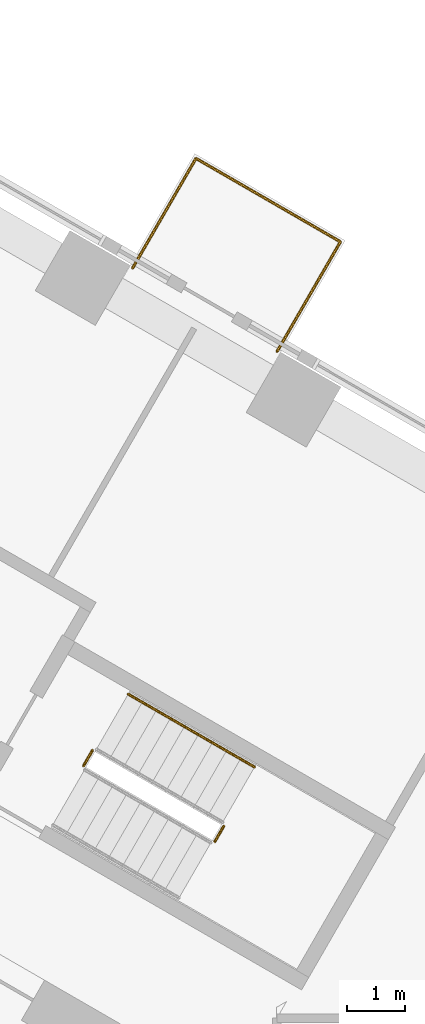
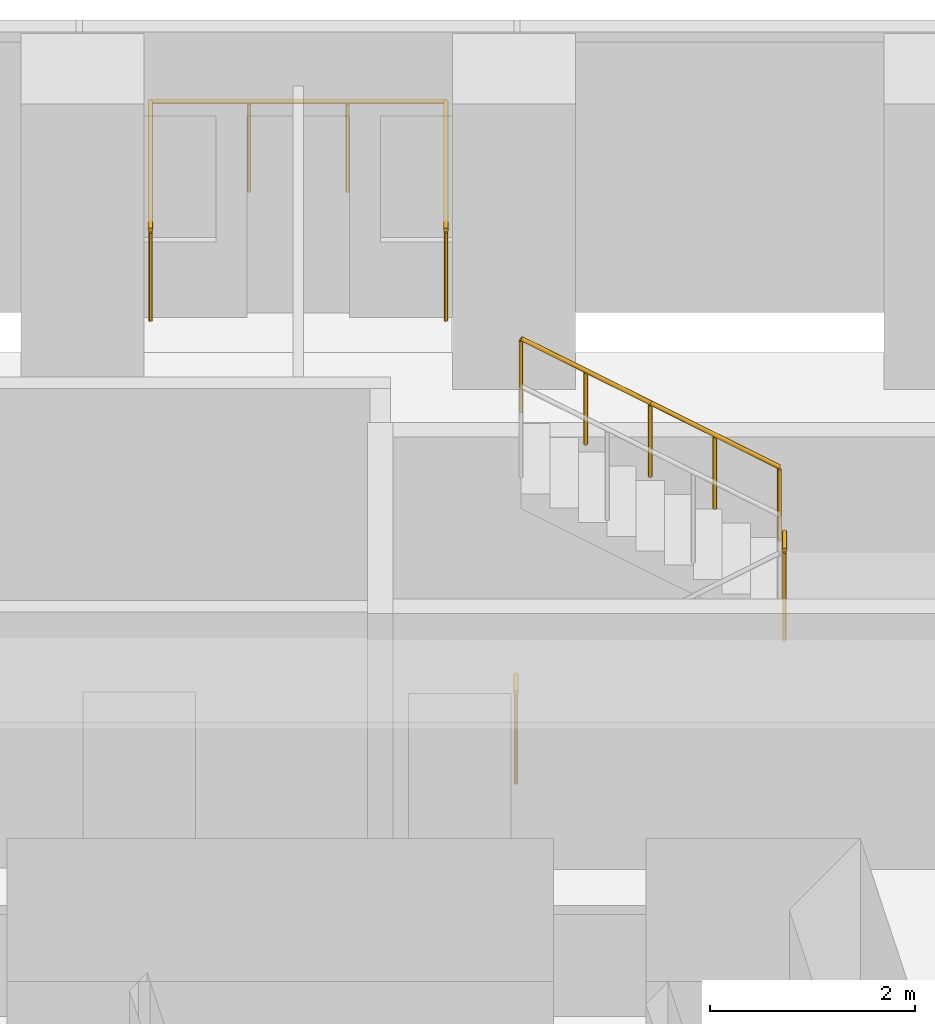
# One storey, part 20 of 20: 5 railings.
"""IFC4 building model written with IfcOpenShell, lengths in metres."""

from ifc_helpers import new_model, si_unit, direction, frame, origin, origin_2d, place, context, subcontext, project, spatial, circle, extrude, material, type_object, element, save


model = new_model("IFC4")

# Units and contexts
model_context = context("Model", 3, precision=1e-05, world=origin(), true_north=direction((0.0, 1.0)))
body_context = subcontext(model_context, "Body", "Model", "MODEL_VIEW")
ifc_project = project(units=[si_unit("LENGTHUNIT", "METRE"), si_unit("AREAUNIT", "SQUARE_METRE"), si_unit("VOLUMEUNIT", "CUBIC_METRE"), si_unit("PLANEANGLEUNIT", "RADIAN"), si_unit("MASSUNIT", "GRAM", prefix="KILO")], contexts=[model_context])

# Site, building, storey
site_placement = place(None, origin())
site = spatial("IfcSite", under=ifc_project, at=site_placement, CompositionType="ELEMENT")
building_placement = place(site_placement, origin())
building = spatial("IfcBuilding", under=site, at=building_placement, Name="Ayvan Gate Tower", CompositionType="ELEMENT")
storey_placement = place(building_placement, frame((0.0, 0.0, 49.300048828125)))
storey = spatial("IfcBuildingStorey", under=building, at=storey_placement, Name="L12", CompositionType="ELEMENT", Elevation=49.300048828125)

# Railings
ifc_material_1 = material(Name="Stainless steel 316 and laminated glass", Category="steel")
railing_type_1 = type_object("IfcRailingType", Name="Balcony balustrade 1100", PredefinedType="BALUSTRADE", material=ifc_material_1)
railing_1_placement = place(storey_placement, frame((11.7080078125, 17.395751953125, 0.0)))
element("IfcRailing", 1, at=railing_1_placement, inside=storey, type_object=railing_type_1, Name="Balcony balustrade BAL-L12-1", PredefinedType="BALUSTRADE", context=body_context, shape_type="SweptSolid", body=[
    extrude(circle(Radius=0.02490234375, at=origin_2d()), frame((0.0, 0.0, 1.0751953125), z_axis=(0.500011965869, 0.866018495177, 0.0), x_axis=(-0.866018495177, 0.500011965869, 0.0)), (0.0, 0.0, 1.0), 2.18994140625),
    extrude(circle(Radius=0.02490234375, at=origin_2d()), frame((1.094970703125, 1.896484375, 1.0751953125), z_axis=(-0.866009313983, 0.500027867319, 0.0), x_axis=(-0.500027867319, -0.866009313983, 0.0)), (0.0, 0.0, 1.0), 2.883056640625),
    extrude(circle(Radius=0.02490234375, at=origin_2d()), frame((-1.40185546875, 3.338134765625, 1.0751953125), z_axis=(-0.500011965869, -0.866018495177, 0.0), x_axis=(0.866018495177, -0.500011965869, 0.0)), (0.0, 0.0, 1.0), 2.18994140625),
    extrude(circle(Radius=0.02001953125, at=origin_2d()), origin(), (0.0, 0.0, 1.0), 1.050048828125),
    extrude(circle(Radius=0.02001953125, at=origin_2d()), frame((0.54736328125, 0.9482421875, 0.0)), (0.0, 0.0, 1.0), 1.050048828125),
    extrude(circle(Radius=0.02001953125, at=origin_2d()), frame((1.094970703125, 1.896484375, 0.0)), (0.0, 0.0, 1.0), 1.050048828125),
    extrude(circle(Radius=0.02001953125, at=origin_2d()), frame((0.2626953125, 2.376953125, 0.0)), (0.0, 0.0, 1.0), 1.050048828125),
    extrude(circle(Radius=0.02001953125, at=origin_2d()), frame((-0.569580078125, 2.857666015625, 0.0)), (0.0, 0.0, 1.0), 1.050048828125),
    extrude(circle(Radius=0.02001953125, at=origin_2d()), frame((-1.40185546875, 3.338134765625, 0.0)), (0.0, 0.0, 1.0), 1.050048828125),
    extrude(circle(Radius=0.02001953125, at=origin_2d()), frame((-1.94921875, 2.389892578125, 0.0)), (0.0, 0.0, 1.0), 1.050048828125),
    extrude(circle(Radius=0.02001953125, at=origin_2d()), frame((-2.496826171875, 1.441650390625, 0.0)), (0.0, 0.0, 1.0), 1.050048828125),
])
ifc_material_2 = material(Name="Stainless steel balustrade", Category="steel")
railing_type_2 = type_object("IfcRailingType", Name="RL-GUARD-1100", PredefinedType="GUARDRAIL", material=ifc_material_2)
railing_2_placement = place(storey_placement, frame((10.6318359375, 8.9248046875, 1.699951171875)))
element("IfcRailing", 2, at=railing_2_placement, inside=storey, type_object=railing_type_2, Name="L12 STS1 stair guard 2", PredefinedType="GUARDRAIL", context=body_context, shape_type="SweptSolid", body=[
    extrude(circle(Radius=0.02392578125, at=origin_2d()), frame((0.0, 0.0, 1.076171875), z_axis=(0.499949632511, 0.866054481515, 0.0), x_axis=(-0.866054481515, 0.499949632511, 0.0)), (0.0, 0.0, 1.0), 0.31005859375),
    extrude(circle(Radius=0.02099609375, at=origin_2d()), origin(), (0.0, 0.0, 1.0), 1.052001953125),
    extrude(circle(Radius=0.02099609375, at=origin_2d()), frame((0.155029296875, 0.2685546875, 0.0)), (0.0, 0.0, 1.0), 1.052001953125),
])
railing_3_placement = place(storey_placement, frame((8.36279296875, 10.23486328125, 0.0)))
element("IfcRailing", 3, at=railing_3_placement, inside=storey, type_object=railing_type_2, Name="L12 STS1 stair guard 4", PredefinedType="GUARDRAIL", context=body_context, shape_type="SweptSolid", body=[
    extrude(circle(Radius=0.02392578125, at=origin_2d()), frame((0.0, 0.0, 1.076171875), z_axis=(0.500290723946, 0.86585748916, 0.0), x_axis=(-0.86585748916, 0.500290723946, 0.0)), (0.0, 0.0, 1.0), 0.309814453125),
    extrude(circle(Radius=0.02099609375, at=origin_2d()), origin(), (0.0, 0.0, 1.0), 1.052001953125),
    extrude(circle(Radius=0.02099609375, at=origin_2d()), frame((0.155029296875, 0.268310546875, 0.0)), (0.0, 0.0, 1.0), 1.052001953125),
])
railing_type_3 = type_object("IfcRailingType", Name="RL-HANDRAIL-900", PredefinedType="HANDRAIL", material=ifc_material_2)
railing_4_placement = place(storey_placement, frame((11.318603515625, 10.214111328125, 1.869873046875)))
element("IfcRailing", 4, at=railing_4_placement, inside=storey, type_object=railing_type_3, Name="L12 STS1 stair handrail 3", PredefinedType="HANDRAIL", context=body_context, shape_type="SweptSolid", body=[
    extrude(circle(Radius=0.02392578125, at=origin_2d()), frame((0.0, 0.0, 0.8759765625), z_axis=(-0.740240574041, 0.427418550694, 0.518996411419), x_axis=(-0.500035496587, -0.86600490885, 0.0)), (0.0, 0.0, 1.0), 1.474365234375),
    extrude(circle(Radius=0.02099609375, at=origin_2d()), origin(), (0.0, 0.0, 1.0), 0.851806640625),
    extrude(circle(Radius=0.02099609375, at=origin_2d()), frame((-0.545654296875, 0.31494140625, 0.382568359375)), (0.0, 0.0, 1.0), 0.851806640625),
    extrude(circle(Radius=0.02099609375, at=origin_2d()), frame((-1.09130859375, 0.630126953125, 0.76513671875)), (0.0, 0.0, 1.0), 0.851806640625),
])
railing_5_placement = place(storey_placement, frame((10.227294921875, 10.84423828125, 2.635009765625)))
element("IfcRailing", 5, at=railing_5_placement, inside=storey, type_object=railing_type_3, Name="L12 STS1 stair handrail 4", PredefinedType="HANDRAIL", context=body_context, shape_type="SweptSolid", body=[
    extrude(circle(Radius=0.02392578125, at=origin_2d()), frame((0.0, 0.0, 0.8759765625), z_axis=(-0.740356597536, 0.427319915356, 0.518912129772), x_axis=(-0.499890179513, -0.866088799389, 0.0)), (0.0, 0.0, 1.0), 1.47412109375),
    extrude(circle(Radius=0.02099609375, at=origin_2d()), origin(), (0.0, 0.0, 1.0), 0.851806640625),
    extrude(circle(Radius=0.02099609375, at=origin_2d()), frame((-0.545654296875, 0.31494140625, 0.38232421875)), (0.0, 0.0, 1.0), 0.851806640625),
    extrude(circle(Radius=0.02099609375, at=origin_2d()), frame((-1.09130859375, 0.6298828125, 0.764892578125)), (0.0, 0.0, 1.0), 0.851806640625),
])

save(model, "model.ifc")
